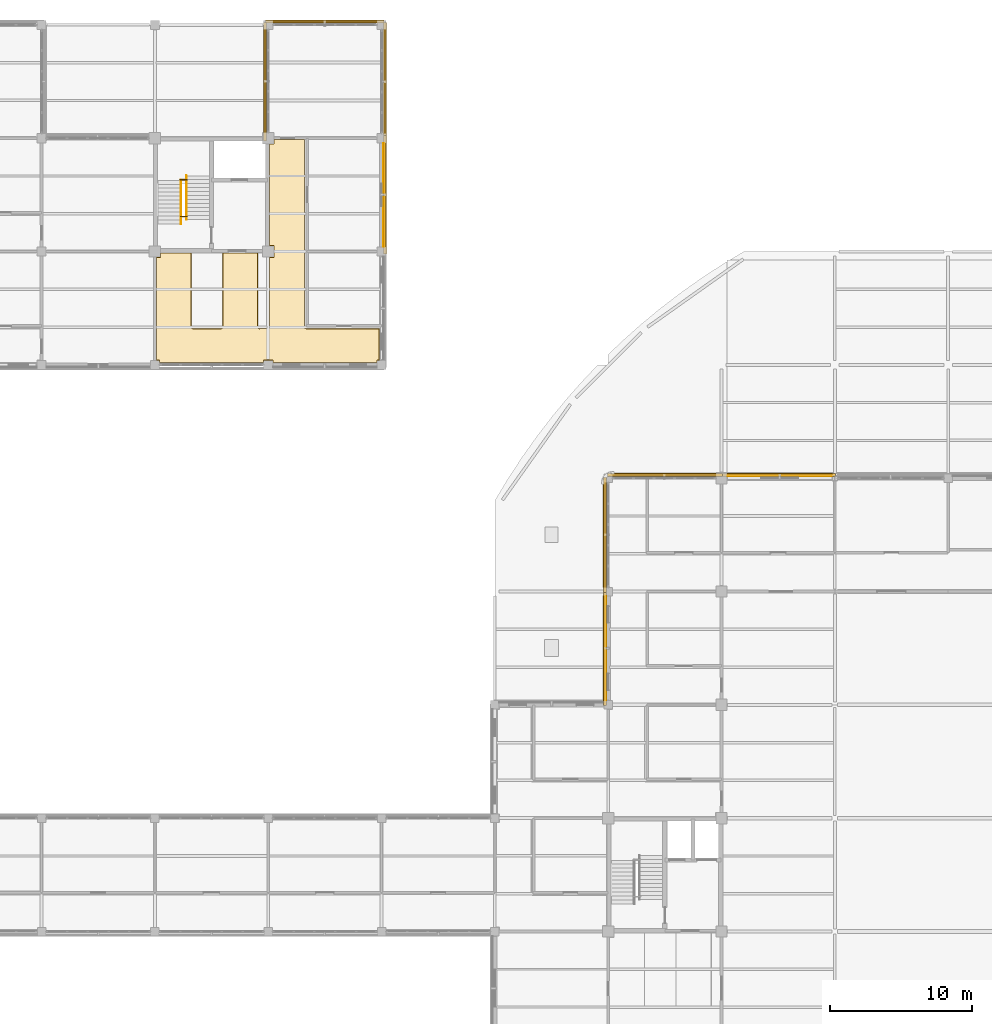
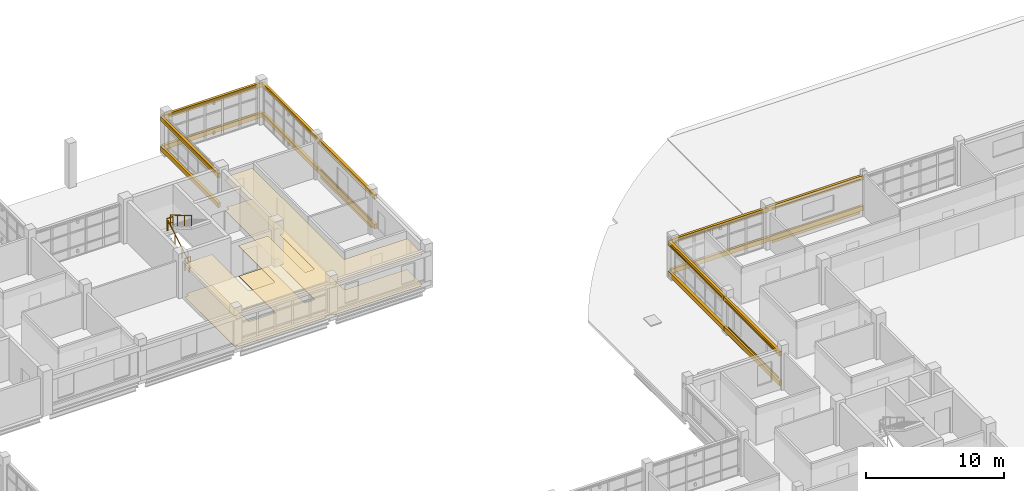
# One storey, part 119 of 126: 21 coverings, 8 shading devices, 4 railings.
"""IFC4 building model written with IfcOpenShell, lengths in metres."""

from ifc_helpers import new_model, si_unit, derived_unit, direction, frame, origin, origin_2d, place, context, subcontext, project, spatial, polyline, rectangle, circle, outline, extrude, material, layer, layer_set, material_profile, profile_set, type_object, element, save


model = new_model("IFC4")

# Units and contexts
model_context = context("Model", 3, precision=1e-05, world=origin(), true_north=direction((0.0, 1.0)))
body_context = subcontext(model_context, "Body", "Model", "MODEL_VIEW")
ifc_project = project(units=[si_unit("LENGTHUNIT", "METRE"), si_unit("AREAUNIT", "SQUARE_METRE"), si_unit("VOLUMEUNIT", "CUBIC_METRE"), si_unit("PLANEANGLEUNIT", "RADIAN"), si_unit("MASSUNIT", "GRAM", prefix="KILO"), derived_unit("THERMALTRANSMITTANCEUNIT", [(si_unit("MASSUNIT", "GRAM", prefix="KILO"), 1), (si_unit("TIMEUNIT", "SECOND"), -3), (si_unit("THERMODYNAMICTEMPERATUREUNIT", "KELVIN"), -1)])], contexts=[model_context])

# Site, building, storey
site_placement = place(None, origin())
site = spatial("IfcSite", under=ifc_project, at=site_placement, CompositionType="ELEMENT")
building_placement = place(site_placement, origin())
building = spatial("IfcBuilding", under=site, at=building_placement, Name="Veyamyaing Civic Hall", CompositionType="ELEMENT")
storey_placement = place(building_placement, frame((0.0, 0.0, 9.89990234375)))
storey = spatial("IfcBuildingStorey", under=building, at=storey_placement, Name="L02", CompositionType="ELEMENT", Elevation=9.89990234375)

# Coverings
ifc_material_1 = material(Name="Buff sandstone ashlar cladding", Category="masonry")
ifc_layer_1 = layer(ifc_material_1, 0.050048828125, Name="Buff sandstone ashlar cladding")
ifc_layer_set_1 = layer_set([ifc_layer_1], Name="Buff sandstone ashlar cladding")
covering_type_1 = type_object("IfcCoveringType", Name="CL-01", PredefinedType="CLADDING", material=ifc_layer_set_1)
covering_1_placement = place(storey_placement, frame((48.160888671875, 100.0, 0.045166015625), z_axis=(0.0, 0.0, 1.0), x_axis=(0.0, 1.0, 0.0)))
element("IfcCovering", 1, at=covering_1_placement, inside=storey, type_object=covering_type_1, Name="Facade spandrel cladding CL-01 L02 E 6.13", PredefinedType="CLADDING", context=body_context, shape_type="SweptSolid", body=[
    extrude(rectangle(XDim=7.300048828125, YDim=0.050048828125, at=origin_2d()), origin(), (0.0, 0.0, 1.0), 0.75),
])
ifc_material_2 = material(Name="Turquoise glazed ceramic tile cladding", Category="masonry")
ifc_layer_2 = layer(ifc_material_2, 0.034912109375, Name="Turquoise glazed ceramic tile cladding")
ifc_layer_set_2 = layer_set([ifc_layer_2], Name="Turquoise glazed ceramic tile cladding")
covering_type_2 = type_object("IfcCoveringType", Name="CL-02", PredefinedType="CLADDING", material=ifc_layer_set_2)
covering_2_placement = place(storey_placement, frame((63.833984375, 68.0, 0.045166015625), z_axis=(0.0, 0.0, 1.0), x_axis=(0.0, 1.0, 0.0)))
element("IfcCovering", 2, at=covering_2_placement, inside=storey, type_object=covering_type_2, Name="Facade spandrel cladding CL-02 L02 W 9.9", PredefinedType="CLADDING", context=body_context, shape_type="SweptSolid", body=[
    extrude(rectangle(XDim=7.35009765625, YDim=0.034912109375, at=origin_2d()), origin(), (0.0, 0.0, 1.0), 0.75),
])
covering_3_placement = place(storey_placement, frame((76.107177734375, 80.166015625, 0.045166015625), z_axis=(0.0, 0.0, 1.0), x_axis=(1.0, 0.0, 0.0)))
element("IfcCovering", 3, at=covering_3_placement, inside=storey, type_object=covering_type_2, Name="Facade spandrel cladding CL-02 L02 N 10.10", PredefinedType="CLADDING", context=body_context, shape_type="SweptSolid", body=[
    extrude(rectangle(XDim=7.364501953125, YDim=0.034912109375, at=origin_2d()), origin(), (0.0, 0.0, 1.0), 0.75),
])
ifc_material_3 = material(Name="White powder-coated aluminium 6063-T6", Category="aluminium")
ifc_layer_3 = layer(ifc_material_3, 0.2099609375, Name="White powder-coated aluminium 6063-T6")
ifc_layer_set_3 = layer_set([ifc_layer_3], Name="White powder-coated aluminium 6063-T6")
covering_type_3 = type_object("IfcCoveringType", Name="CL-03", PredefinedType="CLADDING", material=ifc_layer_set_3)
for number, where, z_axis, x_axis, name in (
    (4, (48.239990234375, 100.0, 2.900146484375), (0.0, 0.0, 1.0), (0.0, 1.0, 0.0), "Continuous white head fascia ribbon CL-03 L02 E 6.13"),
    (5, (48.239990234375, 100.0, 0.280029296875), (0.0, 0.0, 1.0), (0.0, 1.0, 0.0), "Continuous white sill fascia ribbon CL-03 L02 E 6.13"),
    (6, (44.0, 112.239990234375, 2.964111328125), (0.0, 0.0, 1.0), (1.0, 0.0, 0.0), "Continuous white head fascia ribbon CL-03 L02 N 6.14"),
    (7, (44.0, 112.239990234375, 0.280029296875), (0.0, 0.0, 1.0), (1.0, 0.0, 0.0), "Continuous white sill fascia ribbon CL-03 L02 N 6.14"),
    (8, (39.760009765625, 108.0, 2.900146484375), (0.0, 0.0, 1.0), (0.0, 1.0, 0.0), "Continuous white head fascia ribbon CL-03 L02 W 6.14"),
    (9, (39.760009765625, 108.0, 0.280029296875), (0.0, 0.0, 1.0), (0.0, 1.0, 0.0), "Continuous white sill fascia ribbon CL-03 L02 W 6.14"),
    (10, (48.239990234375, 108.0, 2.964111328125), (0.0, 0.0, 1.0), (0.0, 1.0, 0.0), "Continuous white head fascia ribbon CL-03 L02 E 6.14"),
    (11, (48.239990234375, 108.0, 0.280029296875), (0.0, 0.0, 1.0), (0.0, 1.0, 0.0), "Continuous white sill fascia ribbon CL-03 L02 E 6.14"),
):
    element("IfcCovering", number, at=place(storey_placement, frame(where, z_axis=z_axis, x_axis=x_axis)), inside=storey, type_object=covering_type_3, Name=name, PredefinedType="CLADDING", context=body_context, shape_type="SweptSolid", body=[
        extrude(rectangle(XDim=8.360107421875, YDim=0.2099609375, at=origin_2d()), origin(), (0.0, 0.0, 1.0), 0.39990234375),
    ])
for number, where, z_axis, x_axis, name in (
    (12, (63.760009765625, 68.0, 2.904052734375), (0.0, 0.0, 1.0), (0.0, 1.0, 0.0), "Continuous white head fascia ribbon CL-03 L02 W 9.9"),
    (13, (63.760009765625, 68.0, 0.280029296875), (0.0, 0.0, 1.0), (0.0, 1.0, 0.0), "Continuous white sill fascia ribbon CL-03 L02 W 9.9"),
    (14, (68.0, 80.239990234375, 2.900146484375), (0.0, 0.0, 1.0), (1.0, 0.0, 0.0), "Continuous white head fascia ribbon CL-03 L02 N 9.10"),
    (15, (68.0, 80.239990234375, 0.280029296875), (0.0, 0.0, 1.0), (1.0, 0.0, 0.0), "Continuous white sill fascia ribbon CL-03 L02 N 9.10"),
    (16, (63.760009765625, 76.0, 2.967041015625), (0.0, 0.0, 1.0), (0.0, 1.0, 0.0), "Continuous white head fascia ribbon CL-03 L02 W 9.10"),
    (17, (63.760009765625, 76.0, 0.280029296875), (0.0, 0.0, 1.0), (0.0, 1.0, 0.0), "Continuous white sill fascia ribbon CL-03 L02 W 9.10"),
    (18, (76.0, 80.239990234375, 2.964111328125), (0.0, 0.0, 1.0), (1.0, 0.0, 0.0), "Continuous white head fascia ribbon CL-03 L02 N 10.10"),
    (19, (76.0, 80.239990234375, 0.280029296875), (0.0, 0.0, 1.0), (1.0, 0.0, 0.0), "Continuous white sill fascia ribbon CL-03 L02 N 10.10"),
):
    element("IfcCovering", number, at=place(storey_placement, frame(where, z_axis=z_axis, x_axis=x_axis)), inside=storey, type_object=covering_type_3, Name=name, PredefinedType="CLADDING", context=body_context, shape_type="SweptSolid", body=[
        extrude(rectangle(XDim=8.1201171875, YDim=0.2099609375, at=origin_2d()), origin(), (0.0, 0.0, 1.0), 0.39990234375),
    ])
ifc_material_4 = material(Name="Perforated acoustic gypsum ceiling board")
ifc_layer_4 = layer(ifc_material_4, 0.02490234375, Name="Perforated acoustic gypsum ceiling board")
ifc_layer_set_4 = layer_set([ifc_layer_4], Name="Perforated acoustic gypsum ceiling board")
covering_type_4 = type_object("IfcCoveringType", Name="CLG-01", PredefinedType="CEILING", material=ifc_layer_set_4)
covering_4_placement = place(storey_placement, frame((0.0, 0.0, 2.7001953125)))
element("IfcCovering", 20, at=covering_4_placement, inside=storey, type_object=covering_type_4, Name="Acoustic suspended ceiling CLG-01 L02-C03", PredefinedType="CEILING", context=body_context, shape_type="SweptSolid", body=[
    extrude(outline(polyline([(34.580810546875, 90.6220703125), (34.597412109375, 90.597412109375), (34.62158203125, 90.581298828125), (34.652587890625, 90.574951171875), (36.6982421875, 90.574951171875), (36.7216796875, 90.57861328125), (36.741455078125, 90.587890625), (36.7578125, 90.6025390625), (36.768798828125, 90.620849609375), (36.77490234375, 90.652587890625), (36.77490234375, 95.925048828125), (39.27490234375, 95.925048828125), (39.27685546875, 90.635498046875), (39.288330078125, 90.60791015625), (39.302490234375, 90.59228515625), (39.32080078125, 90.581298828125), (39.352294921875, 90.574951171875), (40.006591796875, 90.575439453125), (40.029296875, 90.5810546875), (40.04052734375, 90.587158203125), (40.0625, 90.60888671875), (40.071533203125, 90.62841796875), (40.074951171875, 90.65185546875), (40.074951171875, 95.614990234375), (40.385009765625, 95.614990234375), (40.385009765625, 96.385009765625), (40.074951171875, 96.385009765625), (40.074951171875, 103.614990234375), (40.385009765625, 103.614990234375), (40.385009765625, 103.925048828125), (42.574951171875, 103.925048828125), (42.574951171875, 90.65185546875), (42.578369140625, 90.62890625), (42.5927734375, 90.602294921875), (42.6083984375, 90.587890625), (42.62841796875, 90.57861328125), (42.65185546875, 90.574951171875), (47.844970703125, 90.574951171875), (47.844970703125, 88.31005859375), (47.68994140625, 88.31005859375), (47.68994140625, 88.155029296875), (40.31005859375, 88.155029296875), (40.31005859375, 88.31005859375), (39.68994140625, 88.31005859375), (39.68994140625, 88.155029296875), (32.31005859375, 88.155029296875), (32.31005859375, 88.31005859375), (32.074951171875, 88.31005859375), (32.074951171875, 95.614990234375), (32.385009765625, 95.614990234375), (32.385009765625, 95.925048828125), (34.574951171875, 95.925048828125), (34.575439453125, 90.643310546875), (34.580810546875, 90.6220703125)])), origin(), (0.0, 0.0, 1.0), 0.02490234375),
])
ifc_material_5 = material(Name="Polished Mandalay marble and terrazzo flooring", Category="masonry")
ifc_layer_5 = layer(ifc_material_5, 0.030029296875, Name="Polished Mandalay marble and terrazzo flooring")
ifc_layer_set_5 = layer_set([ifc_layer_5], Name="Polished Mandalay marble and terrazzo flooring")
covering_type_5 = type_object("IfcCoveringType", Name="FLR-01", PredefinedType="FLOORING", material=ifc_layer_set_5)
covering_5_placement = place(storey_placement, origin())
element("IfcCovering", 21, at=covering_5_placement, inside=storey, type_object=covering_type_5, Name="Stone and terrazzo flooring FLR-01 L02-C03", PredefinedType="FLOORING", context=body_context, shape_type="SweptSolid", body=[
    extrude(outline(polyline([(34.5576171875, 90.61181640625), (34.579345703125, 90.579345703125), (34.61181640625, 90.5576171875), (34.64990234375, 90.550048828125), (36.699951171875, 90.550048828125), (36.72900390625, 90.55419921875), (36.755615234375, 90.56689453125), (36.77734375, 90.586669921875), (36.79248046875, 90.61181640625), (36.800048828125, 90.64990234375), (36.800048828125, 95.89990234375), (39.25, 95.89990234375), (39.251953125, 90.630615234375), (39.266845703125, 90.594482421875), (39.28662109375, 90.57275390625), (39.311767578125, 90.5576171875), (39.35009765625, 90.550048828125), (40.009765625, 90.550537109375), (40.038330078125, 90.5576171875), (40.0556640625, 90.56689453125), (40.0830078125, 90.594482421875), (40.095703125, 90.62109375), (40.10009765625, 90.64990234375), (40.10009765625, 95.590087890625), (40.409912109375, 95.590087890625), (40.409912109375, 96.409912109375), (40.10009765625, 96.409912109375), (40.10009765625, 103.590087890625), (40.409912109375, 103.590087890625), (40.409912109375, 103.89990234375), (42.550048828125, 103.89990234375), (42.550048828125, 90.64990234375), (42.55419921875, 90.62109375), (42.57275390625, 90.586669921875), (42.594482421875, 90.56689453125), (42.62109375, 90.55419921875), (42.64990234375, 90.550048828125), (47.820068359375, 90.550048828125), (47.820068359375, 88.3349609375), (47.6650390625, 88.3349609375), (47.6650390625, 88.179931640625), (40.3349609375, 88.179931640625), (40.3349609375, 88.3349609375), (39.6650390625, 88.3349609375), (39.6650390625, 88.179931640625), (32.3349609375, 88.179931640625), (32.3349609375, 88.3349609375), (32.10009765625, 88.3349609375), (32.10009765625, 95.590087890625), (32.409912109375, 95.590087890625), (32.409912109375, 95.89990234375), (34.550048828125, 95.89990234375), (34.550537109375, 90.64013671875), (34.5576171875, 90.61181640625)])), origin(), (0.0, 0.0, 1.0), 0.030029296875),
])

# Railings
ifc_material_6 = material(Name="Steel S355J2", Category="steel")
railing_type_1 = type_object("IfcRailingType", Name="RL-01", PredefinedType="BALUSTRADE", material=ifc_material_6)
railing_1_placement = place(storey_placement, frame((33.780029296875, 101.070068359375, 1.97998046875)))
element("IfcRailing", 22, at=railing_1_placement, inside=storey, type_object=railing_type_1, Name="Half-landing slot guard RL-01 ST-02 L02", PredefinedType="BALUSTRADE", context=body_context, shape_type="SweptSolid", body=[
    extrude(circle(Radius=0.02392578125, at=origin_2d()), frame((0.0, 0.0, 1.076171875), z_axis=(1.0, 0.0, 0.0), x_axis=(0.0, 1.0, 0.0)), (0.0, 0.0, 1.0), 0.489990234375),
    extrude(circle(Radius=0.01416015625, at=origin_2d()), frame((0.0, 0.0, 0.572021484375), z_axis=(1.0, 0.0, 0.0), x_axis=(0.0, 1.0, 0.0)), (0.0, 0.0, 1.0), 0.489990234375),
    extrude(circle(Radius=0.02099609375, at=origin_2d()), origin(), (0.0, 0.0, 1.0), 1.052001953125),
    extrude(circle(Radius=0.02099609375, at=origin_2d()), frame((0.489990234375, 0.0, 0.0)), (0.0, 0.0, 1.0), 1.052001953125),
])
railing_2_placement = place(storey_placement, frame((33.800048828125, 98.47998046875, 0.0)))
element("IfcRailing", 23, at=railing_2_placement, inside=storey, type_object=railing_type_1, Name="Floor-landing slot guard RL-01 ST-02 L02", PredefinedType="BALUSTRADE", context=body_context, shape_type="SweptSolid", body=[
    extrude(circle(Radius=0.02392578125, at=origin_2d()), frame((0.0, 0.0, 1.076171875), z_axis=(1.0, 0.0, 0.0), x_axis=(0.0, 1.0, 0.0)), (0.0, 0.0, 1.0), 0.469970703125),
    extrude(circle(Radius=0.01416015625, at=origin_2d()), frame((0.0, 0.0, 0.572021484375), z_axis=(1.0, 0.0, 0.0), x_axis=(0.0, 1.0, 0.0)), (0.0, 0.0, 1.0), 0.469970703125),
    extrude(circle(Radius=0.02099609375, at=origin_2d()), origin(), (0.0, 0.0, 1.0), 1.052001953125),
    extrude(circle(Radius=0.02099609375, at=origin_2d()), frame((0.469970703125, 0.0, 0.0)), (0.0, 0.0, 1.0), 1.052001953125),
])
railing_type_2 = type_object("IfcRailingType", Name="RL-02", PredefinedType="HANDRAIL", material=ifc_material_6)
railing_3_placement = place(storey_placement, frame((33.840087890625, 97.949951171875, 0.1650390625)))
element("IfcRailing", 24, at=railing_3_placement, inside=storey, type_object=railing_type_2, Name="Stair pitch handrail RL-02 ST-02 L02.1", PredefinedType="HANDRAIL", context=body_context, shape_type="SweptSolid", body=[
    extrude(circle(Radius=0.02392578125, at=origin_2d()), frame((0.0, 0.0, 0.89599609375), z_axis=(0.0, 0.861551262678, 0.507670583921), x_axis=(-1.0, 0.0, 0.0)), (0.0, 0.0, 1.0), 3.574951171875),
    extrude(circle(Radius=0.02099609375, at=origin_2d()), origin(), (0.0, 0.0, 1.0), 0.871826171875),
    extrude(circle(Radius=0.02099609375, at=origin_2d()), frame((0.0, 1.026611328125, 0.60498046875)), (0.0, 0.0, 1.0), 0.871826171875),
    extrude(circle(Radius=0.02099609375, at=origin_2d()), frame((0.0, 2.053466796875, 1.2099609375)), (0.0, 0.0, 1.0), 0.871826171875),
    extrude(circle(Radius=0.02099609375, at=origin_2d()), frame((0.0, 3.080078125, 1.81494140625)), (0.0, 0.0, 1.0), 0.871826171875),
])
railing_4_placement = place(storey_placement, frame((34.219970703125, 101.35009765625, 2.14501953125)))
element("IfcRailing", 25, at=railing_4_placement, inside=storey, type_object=railing_type_2, Name="Stair pitch handrail RL-02 ST-02 L02.2", PredefinedType="HANDRAIL", context=body_context, shape_type="SweptSolid", body=[
    extrude(circle(Radius=0.02392578125, at=origin_2d()), frame((0.0, 0.0, 0.89599609375), z_axis=(0.0, -0.861521393093, 0.507721271215), x_axis=(1.0, 0.0, 0.0)), (0.0, 0.0, 1.0), 3.5751953125),
    extrude(circle(Radius=0.02099609375, at=origin_2d()), origin(), (0.0, 0.0, 1.0), 0.871826171875),
    extrude(circle(Radius=0.02099609375, at=origin_2d()), frame((0.0, -1.026611328125, 0.60498046875)), (0.0, 0.0, 1.0), 0.871826171875),
    extrude(circle(Radius=0.02099609375, at=origin_2d()), frame((0.0, -2.053466796875, 1.210205078125)), (0.0, 0.0, 1.0), 0.871826171875),
    extrude(circle(Radius=0.02099609375, at=origin_2d()), frame((0.0, -3.080078125, 1.815185546875)), (0.0, 0.0, 1.0), 0.871826171875),
])

# Shading devices
ifc_material_profile_1 = material_profile(ifc_material_3, circle(Radius=0.110107421875, at=origin_2d()), Name="SHADE-TUBE-220")
ifc_profile_set_1 = profile_set([ifc_material_profile_1], Name="White powder-coated aluminium 6063-T6")
shading_device_type_1 = type_object("IfcShadingDeviceType", Name="SH-01", PredefinedType="USERDEFINED", material=ifc_profile_set_1)
shading_device_1_placement = place(storey_placement, frame((63.760009765625, 64.284912109375, 3.064208984375), z_axis=(0.0, 1.0, 0.0), x_axis=(-1.0, 0.0, 0.0)))
element("IfcShadingDevice", 26, at=shading_device_1_placement, inside=storey, type_object=shading_device_type_1, Name="Horizontal white sunshade ribbon SH-01 L02 W 9.9", ObjectType="SUNSHADE", PredefinedType="USERDEFINED", context=body_context, shape_type="SweptSolid", body=[
    extrude(circle(Radius=0.110107421875, at=origin_2d()), origin(), (0.0, 0.0, 1.0), 7.43017578125),
])
shading_device_2_placement = place(storey_placement, frame((64.284912109375, 80.239990234375, 3.06005859375), z_axis=(1.0, 0.0, 0.0), x_axis=(0.0, 1.0, 0.0)))
element("IfcShadingDevice", 27, at=shading_device_2_placement, inside=storey, type_object=shading_device_type_1, Name="Horizontal white sunshade ribbon SH-01 L02 N 9.10", ObjectType="SUNSHADE", PredefinedType="USERDEFINED", context=body_context, shape_type="SweptSolid", body=[
    extrude(circle(Radius=0.110107421875, at=origin_2d()), origin(), (0.0, 0.0, 1.0), 7.330078125),
])
shading_device_3_placement = place(storey_placement, frame((63.760009765625, 72.284912109375, 3.127197265625), z_axis=(0.0, 1.0, 0.0), x_axis=(-1.0, 0.0, 0.0)))
element("IfcShadingDevice", 28, at=shading_device_3_placement, inside=storey, type_object=shading_device_type_1, Name="Horizontal white sunshade ribbon SH-01 L02 W 9.10", ObjectType="SUNSHADE", PredefinedType="USERDEFINED", context=body_context, shape_type="SweptSolid", body=[
    extrude(circle(Radius=0.110107421875, at=origin_2d()), origin(), (0.0, 0.0, 1.0), 7.43017578125),
])
shading_device_4_placement = place(storey_placement, frame((72.385009765625, 80.239990234375, 3.1240234375), z_axis=(1.0, 0.0, 0.0), x_axis=(0.0, 1.0, 0.0)))
element("IfcShadingDevice", 29, at=shading_device_4_placement, inside=storey, type_object=shading_device_type_1, Name="Horizontal white sunshade ribbon SH-01 L02 N 10.10", ObjectType="SUNSHADE", PredefinedType="USERDEFINED", context=body_context, shape_type="SweptSolid", body=[
    extrude(circle(Radius=0.110107421875, at=origin_2d()), origin(), (0.0, 0.0, 1.0), 7.444580078125),
])
ifc_material_profile_2 = material_profile(ifc_material_3, circle(Radius=0.090087890625, at=origin_2d()), Name="SHADE-TUBE-180")
ifc_profile_set_2 = profile_set([ifc_material_profile_2], Name="White powder-coated aluminium 6063-T6")
shading_device_type_2 = type_object("IfcShadingDeviceType", Name="SH-02", PredefinedType="USERDEFINED", material=ifc_profile_set_2)
for number, where, z_axis, x_axis, name in (
    (30, (48.239990234375, 96.31005859375, 3.06005859375), (0.0, 1.0, 0.0), (-1.0, 0.0, 0.0), "Horizontal white sunshade ribbon SH-02 L02 E 6.13"),
    (31, (40.31005859375, 112.239990234375, 3.1240234375), (1.0, 0.0, 0.0), (0.0, 1.0, 0.0), "Horizontal white sunshade ribbon SH-02 L02 N 6.14"),
):
    element("IfcShadingDevice", number, at=place(storey_placement, frame(where, z_axis=z_axis, x_axis=x_axis)), inside=storey, type_object=shading_device_type_2, Name=name, ObjectType="SUNSHADE", PredefinedType="USERDEFINED", context=body_context, shape_type="SweptSolid", body=[
        extrude(circle(Radius=0.090087890625, at=origin_2d()), origin(), (0.0, 0.0, 1.0), 7.3798828125),
    ])
shading_device_5_placement = place(storey_placement, frame((39.760009765625, 104.385009765625, 3.06005859375), z_axis=(0.0, 1.0, 0.0), x_axis=(-1.0, 0.0, 0.0)))
element("IfcShadingDevice", 32, at=shading_device_5_placement, inside=storey, type_object=shading_device_type_2, Name="Horizontal white sunshade ribbon SH-02 L02 W 6.14", ObjectType="SUNSHADE", PredefinedType="USERDEFINED", context=body_context, shape_type="SweptSolid", body=[
    extrude(circle(Radius=0.090087890625, at=origin_2d()), origin(), (0.0, 0.0, 1.0), 7.304931640625),
])
shading_device_6_placement = place(storey_placement, frame((48.239990234375, 104.31005859375, 3.1240234375), z_axis=(0.0, 1.0, 0.0), x_axis=(-1.0, 0.0, 0.0)))
element("IfcShadingDevice", 33, at=shading_device_6_placement, inside=storey, type_object=shading_device_type_2, Name="Horizontal white sunshade ribbon SH-02 L02 E 6.14", ObjectType="SUNSHADE", PredefinedType="USERDEFINED", context=body_context, shape_type="SweptSolid", body=[
    extrude(circle(Radius=0.090087890625, at=origin_2d()), origin(), (0.0, 0.0, 1.0), 7.3798828125),
])

save(model, "model.ifc")
